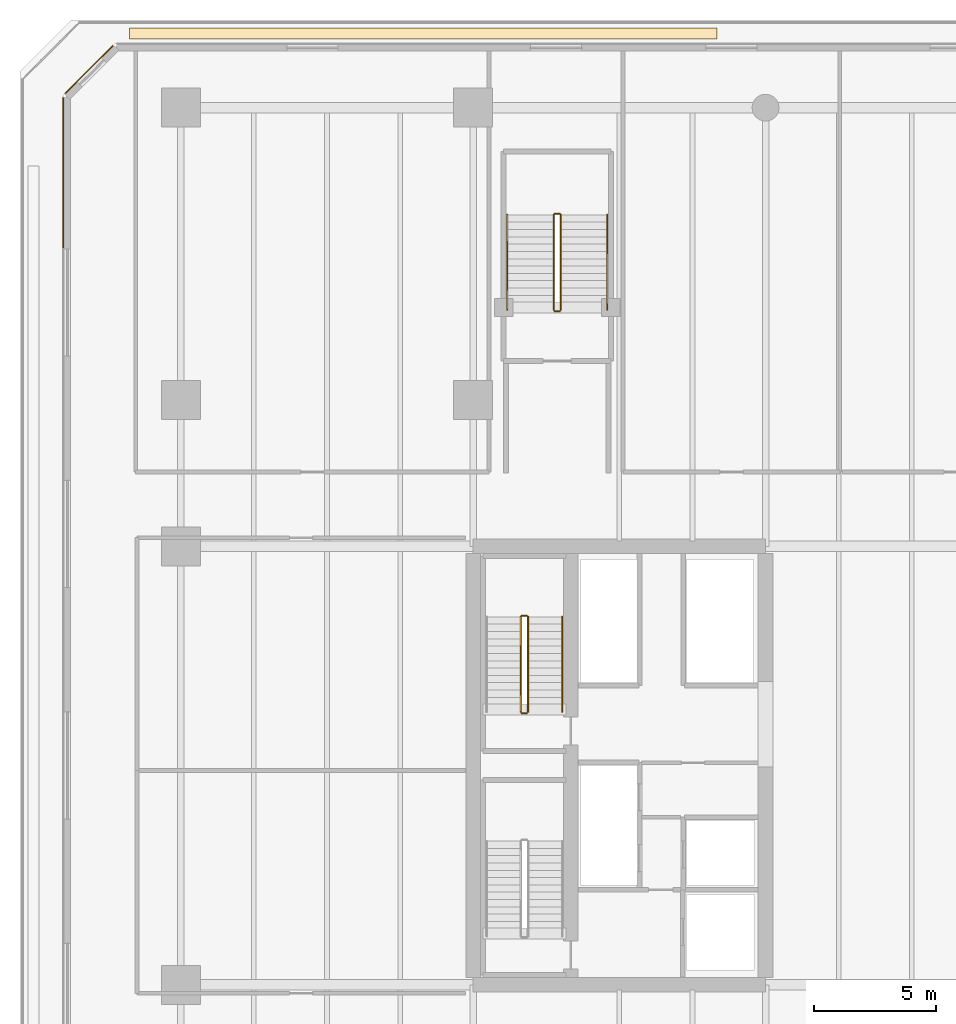
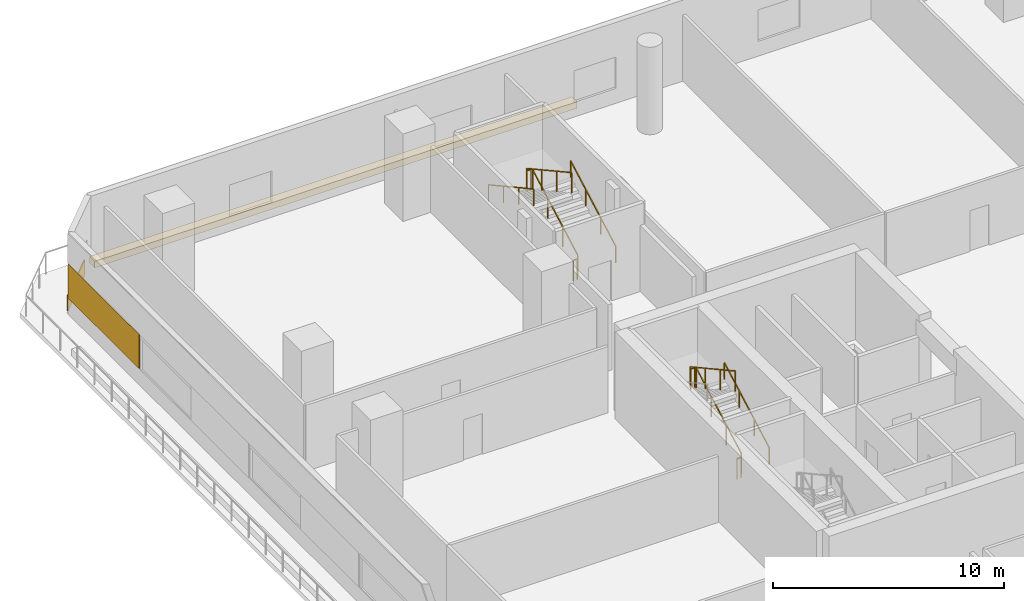
# One storey, part 18 of 27: 11 railings, 3 coverings.
"""IFC4 building model written with IfcOpenShell, lengths in metres."""

from ifc_helpers import new_model, si_unit, direction, frame, origin, origin_2d, place, context, subcontext, project, spatial, polyline, rectangle, outline, extrude, material, layer, layer_set, type_object, element, save


model = new_model("IFC4")

# Units and contexts
model_context = context("Model", 3, precision=1e-05, world=origin(), true_north=direction((0.0, 1.0)))
body_context = subcontext(model_context, "Body", "Model", "MODEL_VIEW")
ifc_project = project(units=[si_unit("LENGTHUNIT", "METRE"), si_unit("AREAUNIT", "SQUARE_METRE"), si_unit("VOLUMEUNIT", "CUBIC_METRE"), si_unit("PLANEANGLEUNIT", "RADIAN"), si_unit("MASSUNIT", "GRAM", prefix="KILO")], contexts=[model_context])

# Site, building, storey
site_placement = place(None, origin())
site = spatial("IfcSite", under=ifc_project, at=site_placement, CompositionType="ELEMENT")
building_placement = place(site_placement, origin())
building = spatial("IfcBuilding", under=site, at=building_placement, Name="Tanjung Sevakor Pilgrim Tower", CompositionType="ELEMENT")
storey_placement = place(building_placement, frame((0.0, 0.0, 19.469970703125)))
storey = spatial("IfcBuildingStorey", under=building, at=storey_placement, Name="L05", CompositionType="ELEMENT", Elevation=19.469970703125)

# Coverings
ifc_material_1 = material(Name="Reconstructed Limestone Cladding", Category="masonry")
ifc_layer_1 = layer(ifc_material_1, 0.044921875)
ifc_layer_set_1 = layer_set([ifc_layer_1], Name="COV-CLAD-LIMESTONE")
covering_type_1 = type_object("IfcCoveringType", Name="COV-CLAD-LIMESTONE", PredefinedType="CLADDING", material=ifc_layer_set_1)
covering_1_placement = place(storey_placement, frame((8.234130859375, 62.166015625, 0.009765625), z_axis=(0.0, 0.0, 1.0), x_axis=(-0.707106781187, -0.707106781187, 0.0)))
element("IfcCovering", 1, at=covering_1_placement, inside=storey, type_object=covering_type_1, Name="L05 Warm Limestone Sill Spandrel EW-L05-MAIN-6-1", PredefinedType="CLADDING", context=body_context, shape_type="SweptSolid", body=[
    extrude(rectangle(XDim=2.77392578125, YDim=0.044921875, at=origin_2d()), origin(), (0.0, 0.0, 1.0), 0.840087890625),
])
covering_2_placement = place(storey_placement, frame((7.177490234375, 57.926025390625, 0.85009765625), z_axis=(0.0, 0.0, 1.0), x_axis=(0.0, -1.0, 0.0)))
element("IfcCovering", 2, at=covering_2_placement, inside=storey, type_object=covering_type_1, Name="L05 Warm Limestone Pier Panel EW-L05-MAIN-7-1", PredefinedType="CLADDING", context=body_context, shape_type="SweptSolid", body=[
    extrude(rectangle(XDim=6.152099609375, YDim=0.044921875, at=origin_2d()), origin(), (0.0, 0.0, 1.0), 1.81005859375),
])
ifc_material_2 = material(Name="Vegetated Modular Planter Assembly", Category="organic")
ifc_layer_2 = layer(ifc_material_2, 0.35009765625)
ifc_layer_set_2 = layer_set([ifc_layer_2], Name="COV-GRN-TROUGH")
covering_type_2 = type_object("IfcCoveringType", Name="COV-GRN-TROUGH", PredefinedType="CLADDING", material=ifc_layer_set_2)
covering_3_placement = place(storey_placement, origin())
element("IfcCovering", 3, at=covering_3_placement, inside=storey, type_object=covering_type_2, Name="L05 Planted Landscape Hedge Trough PGRN-L05-NW", PredefinedType="CLADDING", context=body_context, shape_type="SweptSolid", body=[
    extrude(outline(polyline([(9.89990234375, 63.429931640625), (34.0, 63.429931640625), (34.0, 63.8701171875), (9.89990234375, 63.8701171875), (9.89990234375, 63.429931640625)])), origin(), (0.0, 0.0, 1.0), 0.35009765625),
])

# Railings
ifc_material_3 = material(Name="Steel S355J2", Category="steel")
railing_type_1 = type_object("IfcRailingType", Name="RL-STAIR-GUARD", PredefinedType="GUARDRAIL", material=ifc_material_3)
railing_1_placement = place(storey_placement, frame((26.25, 35.800048828125, 0.1650390625)))
element("IfcRailing", 4, at=railing_1_placement, inside=storey, type_object=railing_type_1, Name="L05 TS-W2 stair guard 1", PredefinedType="GUARDRAIL", context=body_context, shape_type="SweptSolid", body=[
    extrude(rectangle(XDim=0.0479, YDim=0.0479), frame((0.0, 0.0, 1.076171875), z_axis=(0.0, 0.876208959939, 0.481931383625), x_axis=(-1.0, 0.0, 0.0)), (0.0, 0.0, 1.0), 4.450927734375),
    extrude(rectangle(XDim=0.042, YDim=0.042), origin(), (0.0, 0.0, 1.0), 1.052001953125),
    extrude(rectangle(XDim=0.042, YDim=0.042), frame((0.0, 1.300048828125, 0.715087890625)), (0.0, 0.0, 1.0), 1.052001953125),
    extrude(rectangle(XDim=0.042, YDim=0.042), frame((0.0, 2.599853515625, 1.429931640625)), (0.0, 0.0, 1.0), 1.052001953125),
    extrude(rectangle(XDim=0.042, YDim=0.042), frame((0.0, 3.89990234375, 2.14501953125)), (0.0, 0.0, 1.0), 1.052001953125),
])
railing_2_placement = place(storey_placement, frame((26.199951171875, 39.75, 2.31005859375)))
element("IfcRailing", 5, at=railing_2_placement, inside=storey, type_object=railing_type_1, Name="L05 TS-W2 stair guard 2", PredefinedType="GUARDRAIL", context=body_context, shape_type="SweptSolid", body=[
    extrude(rectangle(XDim=0.0479, YDim=0.0479), frame((0.0, 0.0, 1.076171875), z_axis=(-1.0, 0.0, 0.0), x_axis=(0.0, -1.0, 0.0)), (0.0, 0.0, 1.0), 0.199951171875),
    extrude(rectangle(XDim=0.042, YDim=0.042), origin(), (0.0, 0.0, 1.0), 1.052001953125),
    extrude(rectangle(XDim=0.042, YDim=0.042), frame((-0.199951171875, 0.0, 0.0)), (0.0, 0.0, 1.0), 1.052001953125),
])
railing_3_placement = place(storey_placement, frame((25.949951171875, 39.699951171875, 2.47509765625)))
element("IfcRailing", 6, at=railing_3_placement, inside=storey, type_object=railing_type_1, Name="L05 TS-W2 stair guard 3", PredefinedType="GUARDRAIL", context=body_context, shape_type="SweptSolid", body=[
    extrude(rectangle(XDim=0.0479, YDim=0.0479), frame((0.0, 0.0, 1.076171875), z_axis=(0.0, -0.876208959939, 0.481931383625), x_axis=(1.0, 0.0, 0.0)), (0.0, 0.0, 1.0), 4.450927734375),
    extrude(rectangle(XDim=0.042, YDim=0.042), origin(), (0.0, 0.0, 1.0), 1.052001953125),
    extrude(rectangle(XDim=0.042, YDim=0.042), frame((0.0, -1.300048828125, 0.715087890625)), (0.0, 0.0, 1.0), 1.052001953125),
    extrude(rectangle(XDim=0.042, YDim=0.042), frame((0.0, -2.599853515625, 1.429931640625)), (0.0, 0.0, 1.0), 1.052001953125),
    extrude(rectangle(XDim=0.042, YDim=0.042), frame((0.0, -3.89990234375, 2.14501953125)), (0.0, 0.0, 1.0), 1.052001953125),
])
railing_4_placement = place(storey_placement, frame((26.199951171875, 35.75, 0.0)))
element("IfcRailing", 7, at=railing_4_placement, inside=storey, type_object=railing_type_1, Name="L05 TS-W2 stair guard 4", PredefinedType="GUARDRAIL", context=body_context, shape_type="SweptSolid", body=[
    extrude(rectangle(XDim=0.0479, YDim=0.0479), frame((0.0, 0.0, 1.076171875), z_axis=(-1.0, 0.0, 0.0), x_axis=(0.0, -1.0, 0.0)), (0.0, 0.0, 1.0), 0.199951171875),
    extrude(rectangle(XDim=0.042, YDim=0.042), origin(), (0.0, 0.0, 1.0), 1.052001953125),
    extrude(rectangle(XDim=0.042, YDim=0.042), frame((-0.199951171875, 0.0, 0.0)), (0.0, 0.0, 1.0), 1.052001953125),
])
railing_5_placement = place(storey_placement, frame((27.60009765625, 52.300048828125, 0.1650390625)))
element("IfcRailing", 8, at=railing_5_placement, inside=storey, type_object=railing_type_1, Name="L05 PS-2 stair guard 1", PredefinedType="GUARDRAIL", context=body_context, shape_type="SweptSolid", body=[
    extrude(rectangle(XDim=0.0479, YDim=0.0479), frame((0.0, 0.0, 1.076171875), z_axis=(0.0, 0.876208959939, 0.481931383625), x_axis=(-1.0, 0.0, 0.0)), (0.0, 0.0, 1.0), 4.450927734375),
    extrude(rectangle(XDim=0.042, YDim=0.042), origin(), (0.0, 0.0, 1.0), 1.052001953125),
    extrude(rectangle(XDim=0.042, YDim=0.042), frame((0.0, 1.300048828125, 0.715087890625)), (0.0, 0.0, 1.0), 1.052001953125),
    extrude(rectangle(XDim=0.042, YDim=0.042), frame((0.0, 2.599853515625, 1.429931640625)), (0.0, 0.0, 1.0), 1.052001953125),
    extrude(rectangle(XDim=0.042, YDim=0.042), frame((0.0, 3.89990234375, 2.14501953125)), (0.0, 0.0, 1.0), 1.052001953125),
])
railing_6_placement = place(storey_placement, frame((27.550048828125, 56.25, 2.31005859375)))
element("IfcRailing", 9, at=railing_6_placement, inside=storey, type_object=railing_type_1, Name="L05 PS-2 stair guard 2", PredefinedType="GUARDRAIL", context=body_context, shape_type="SweptSolid", body=[
    extrude(rectangle(XDim=0.0479, YDim=0.0479), frame((0.0, 0.0, 1.076171875), z_axis=(-1.0, 0.0, 0.0), x_axis=(0.0, -1.0, 0.0)), (0.0, 0.0, 1.0), 0.199951171875),
    extrude(rectangle(XDim=0.042, YDim=0.042), origin(), (0.0, 0.0, 1.0), 1.052001953125),
    extrude(rectangle(XDim=0.042, YDim=0.042), frame((-0.199951171875, 0.0, 0.0)), (0.0, 0.0, 1.0), 1.052001953125),
])
railing_7_placement = place(storey_placement, frame((27.300048828125, 56.199951171875, 2.47509765625)))
element("IfcRailing", 10, at=railing_7_placement, inside=storey, type_object=railing_type_1, Name="L05 PS-2 stair guard 3", PredefinedType="GUARDRAIL", context=body_context, shape_type="SweptSolid", body=[
    extrude(rectangle(XDim=0.0479, YDim=0.0479), frame((0.0, 0.0, 1.076171875), z_axis=(0.0, -0.876208959939, 0.481931383625), x_axis=(1.0, 0.0, 0.0)), (0.0, 0.0, 1.0), 4.450927734375),
    extrude(rectangle(XDim=0.042, YDim=0.042), origin(), (0.0, 0.0, 1.0), 1.052001953125),
    extrude(rectangle(XDim=0.042, YDim=0.042), frame((0.0, -1.300048828125, 0.715087890625)), (0.0, 0.0, 1.0), 1.052001953125),
    extrude(rectangle(XDim=0.042, YDim=0.042), frame((0.0, -2.599853515625, 1.429931640625)), (0.0, 0.0, 1.0), 1.052001953125),
    extrude(rectangle(XDim=0.042, YDim=0.042), frame((0.0, -3.89990234375, 2.14501953125)), (0.0, 0.0, 1.0), 1.052001953125),
])
railing_8_placement = place(storey_placement, frame((27.550048828125, 52.25, 0.0)))
element("IfcRailing", 11, at=railing_8_placement, inside=storey, type_object=railing_type_1, Name="L05 PS-2 stair guard 4", PredefinedType="GUARDRAIL", context=body_context, shape_type="SweptSolid", body=[
    extrude(rectangle(XDim=0.0479, YDim=0.0479), frame((0.0, 0.0, 1.076171875), z_axis=(-1.0, 0.0, 0.0), x_axis=(0.0, -1.0, 0.0)), (0.0, 0.0, 1.0), 0.199951171875),
    extrude(rectangle(XDim=0.042, YDim=0.042), origin(), (0.0, 0.0, 1.0), 1.052001953125),
    extrude(rectangle(XDim=0.042, YDim=0.042), frame((-0.199951171875, 0.0, 0.0)), (0.0, 0.0, 1.0), 1.052001953125),
])
ifc_material_4 = material(Name="Steel S355J2", Category="steel")
railing_type_2 = type_object("IfcRailingType", Name="RL-STAIR-HAND", PredefinedType="HANDRAIL", material=ifc_material_4)
for number, where, name in (
    (12, (27.64990234375, 35.800048828125, 0.1650390625), "L05 TS-W2 stair handrail 1"),
    (13, (29.5, 52.300048828125, 0.1650390625), "L05 PS-2 stair handrail 1"),
):
    element("IfcRailing", number, at=place(storey_placement, frame(where)), inside=storey, type_object=railing_type_2, Name=name, PredefinedType="HANDRAIL", context=body_context, shape_type="SweptSolid", body=[
        extrude(rectangle(XDim=0.0479, YDim=0.0479), frame((0.0, 0.0, 0.8759765625), z_axis=(0.0, 0.876208959939, 0.481931383625), x_axis=(-1.0, 0.0, 0.0)), (0.0, 0.0, 1.0), 4.450927734375),
        extrude(rectangle(XDim=0.042, YDim=0.042), origin(), (0.0, 0.0, 1.0), 0.851806640625),
        extrude(rectangle(XDim=0.042, YDim=0.042), frame((0.0, 1.300048828125, 0.715087890625)), (0.0, 0.0, 1.0), 0.851806640625),
        extrude(rectangle(XDim=0.042, YDim=0.042), frame((0.0, 2.599853515625, 1.429931640625)), (0.0, 0.0, 1.0), 0.851806640625),
        extrude(rectangle(XDim=0.042, YDim=0.042), frame((0.0, 3.89990234375, 2.14501953125)), (0.0, 0.0, 1.0), 0.851806640625),
    ])
railing_9_placement = place(storey_placement, frame((25.39990234375, 56.199951171875, 2.47509765625)))
element("IfcRailing", 14, at=railing_9_placement, inside=storey, type_object=railing_type_2, Name="L05 PS-2 stair handrail 2", PredefinedType="HANDRAIL", context=body_context, shape_type="SweptSolid", body=[
    extrude(rectangle(XDim=0.0479, YDim=0.0479), frame((0.0, 0.0, 0.8759765625), z_axis=(0.0, -0.876208959939, 0.481931383625), x_axis=(1.0, 0.0, 0.0)), (0.0, 0.0, 1.0), 4.450927734375),
    extrude(rectangle(XDim=0.042, YDim=0.042), origin(), (0.0, 0.0, 1.0), 0.851806640625),
    extrude(rectangle(XDim=0.042, YDim=0.042), frame((0.0, -1.300048828125, 0.715087890625)), (0.0, 0.0, 1.0), 0.851806640625),
    extrude(rectangle(XDim=0.042, YDim=0.042), frame((0.0, -2.599853515625, 1.429931640625)), (0.0, 0.0, 1.0), 0.851806640625),
    extrude(rectangle(XDim=0.042, YDim=0.042), frame((0.0, -3.89990234375, 2.14501953125)), (0.0, 0.0, 1.0), 0.851806640625),
])

save(model, "model.ifc")
